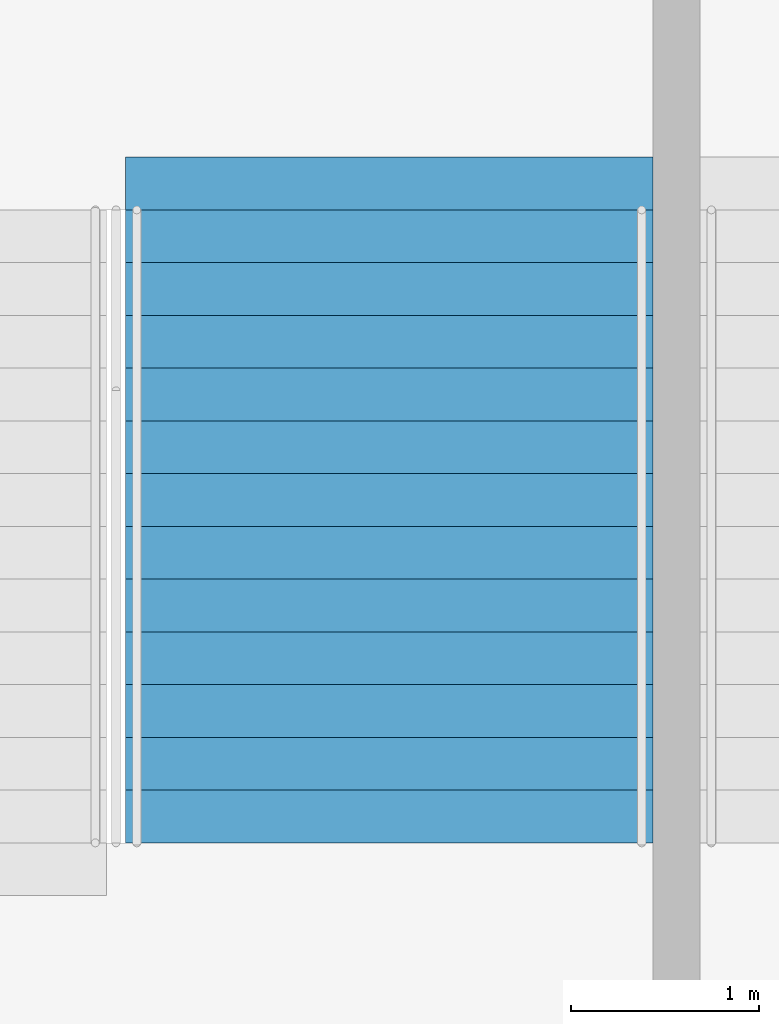
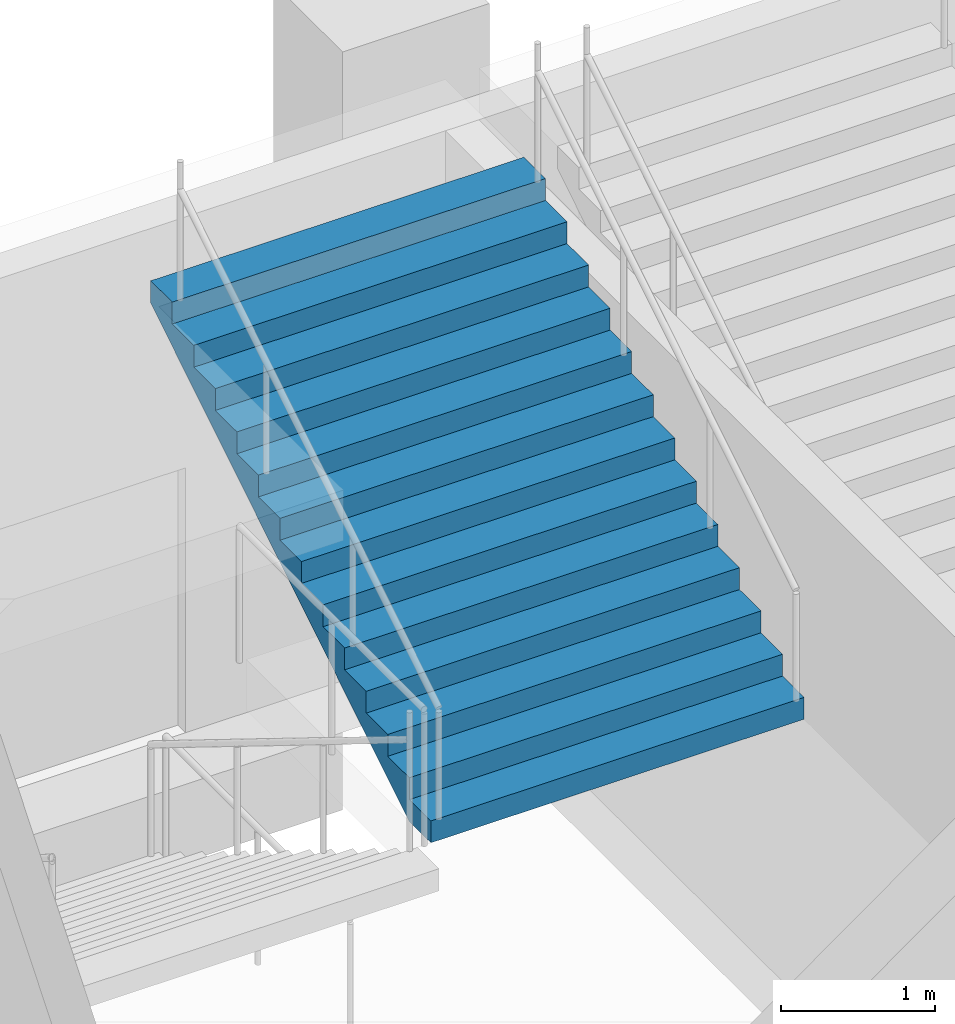
# One storey, part 90 of 177: 1 stair flight, 1 element without a shape of its own.
"""IFC4 building model written with IfcOpenShell, lengths in metres."""

from ifc_helpers import new_model, si_unit, direction, frame, origin, place, context, subcontext, project, spatial, faceted_brep, material, type_object, element, aggregate, save


model = new_model("IFC4")

# Units and contexts
model_context = context("Model", 3, precision=1e-05, world=origin(), true_north=direction((0.0, 1.0)))
body_context = subcontext(model_context, "Body", "Model", "MODEL_VIEW")
ifc_project = project(units=[si_unit("LENGTHUNIT", "METRE"), si_unit("AREAUNIT", "SQUARE_METRE"), si_unit("VOLUMEUNIT", "CUBIC_METRE"), si_unit("PLANEANGLEUNIT", "RADIAN"), si_unit("MASSUNIT", "GRAM", prefix="KILO")], contexts=[model_context])

# Site, building, storey
site_placement = place(None, origin())
site = spatial("IfcSite", under=ifc_project, at=site_placement, CompositionType="ELEMENT")
building_placement = place(site_placement, origin())
building = spatial("IfcBuilding", under=site, at=building_placement, Name="Ogive Plaza Stadium", CompositionType="ELEMENT")
storey_placement = place(building_placement, frame((0.0, 0.0, 18.0)))
storey = spatial("IfcBuildingStorey", under=building, at=storey_placement, Name="L04", CompositionType="ELEMENT", Elevation=18.0)

# Stair, stair flight
ifc_material_1 = material(Name="Concrete C40/50", Category="concrete")
stair_type = type_object("IfcStairType", Name="Exit stair", PredefinedType="STRAIGHT_RUN_STAIR", material=ifc_material_1)
stair_placement = place(storey_placement, origin())
stair = element("IfcStair", 1, at=stair_placement, inside=storey, type_object=stair_type, Name="Exit stair ST16A L04 to L05", PredefinedType="STRAIGHT_RUN_STAIR")
ifc_material_2 = material(Name="Concrete C40/50", Category="concrete")
stair_flight_type = type_object("IfcStairFlightType", Name="Exit stair flight", PredefinedType="STRAIGHT", material=ifc_material_2)
stair_flight_placement = place(storey_placement, frame((-21.925048828125, -98.2099609375, 2.25), z_axis=(0.0, 0.0, 1.0), x_axis=(0.0, 1.0, 0.0)))
stair_flight = element("IfcStairFlight", 2, at=stair_flight_placement, type_object=stair_flight_type, Name="ST16A flight 2", NumberOfRisers=13, NumberOfTreads=12, PredefinedType="STRAIGHT", RiserHeight=0.173076923, TreadLength=0.28, context=body_context, shape_type="Brep", body=[
    faceted_brep([(0.28515625, -1.39990234375, 0.0), (3.639892578125, -1.39990234375, 2.07373046875), (3.639892578125, -1.39990234375, 2.25), (3.360107421875, -1.39990234375, 2.25), (3.360107421875, -1.39990234375, 2.076904296875), (3.080078125, -1.39990234375, 2.076904296875), (3.080078125, -1.39990234375, 1.90380859375), (2.800048828125, -1.39990234375, 1.90380859375), (2.800048828125, -1.39990234375, 1.730712890625), (2.52001953125, -1.39990234375, 1.730712890625), (2.52001953125, -1.39990234375, 1.5576171875), (2.239990234375, -1.39990234375, 1.5576171875), (2.239990234375, -1.39990234375, 1.384521484375), (1.9599609375, -1.39990234375, 1.384521484375), (1.9599609375, -1.39990234375, 1.21142578125), (1.679931640625, -1.39990234375, 1.21142578125), (1.679931640625, -1.39990234375, 1.03857421875), (1.39990234375, -1.39990234375, 1.03857421875), (1.39990234375, -1.39990234375, 0.865478515625), (1.1201171875, -1.39990234375, 0.865478515625), (1.1201171875, -1.39990234375, 0.6923828125), (0.840087890625, -1.39990234375, 0.6923828125), (0.840087890625, -1.39990234375, 0.519287109375), (0.56005859375, -1.39990234375, 0.519287109375), (0.56005859375, -1.39990234375, 0.34619140625), (0.280029296875, -1.39990234375, 0.34619140625), (0.280029296875, -1.39990234375, 0.173095703125), (0.0, -1.39990234375, 0.173095703125), (0.0, -1.39990234375, 0.0), (0.0, 1.39990234375, 0.0), (0.0, 1.39990234375, 0.173095703125), (0.280029296875, 1.39990234375, 0.173095703125), (0.280029296875, 1.39990234375, 0.34619140625), (0.56005859375, 1.39990234375, 0.34619140625), (0.56005859375, 1.39990234375, 0.519287109375), (0.840087890625, 1.39990234375, 0.519287109375), (0.840087890625, 1.39990234375, 0.6923828125), (1.1201171875, 1.39990234375, 0.6923828125), (1.1201171875, 1.39990234375, 0.865478515625), (1.39990234375, 1.39990234375, 0.865478515625), (1.39990234375, 1.39990234375, 1.03857421875), (1.679931640625, 1.39990234375, 1.03857421875), (1.679931640625, 1.39990234375, 1.21142578125), (1.9599609375, 1.39990234375, 1.21142578125), (1.9599609375, 1.39990234375, 1.384521484375), (2.239990234375, 1.39990234375, 1.384521484375), (2.239990234375, 1.39990234375, 1.5576171875), (2.52001953125, 1.39990234375, 1.5576171875), (2.52001953125, 1.39990234375, 1.730712890625), (2.800048828125, 1.39990234375, 1.730712890625), (2.800048828125, 1.39990234375, 1.90380859375), (3.080078125, 1.39990234375, 1.90380859375), (3.080078125, 1.39990234375, 2.076904296875), (3.360107421875, 1.39990234375, 2.076904296875), (3.360107421875, 1.39990234375, 2.25), (3.639892578125, 1.39990234375, 2.25), (3.639892578125, 1.39990234375, 2.07373046875), (0.28515625, 1.39990234375, 0.0), (0.28515625, -1.0888671875, 0.0), (3.639892578125, -1.0888671875, 2.07373046875), (0.28515625, -0.77783203125, 0.0), (3.639892578125, -0.77783203125, 2.07373046875), (0.28515625, -0.466796875, 0.0), (3.639892578125, -0.466796875, 2.07373046875), (0.28515625, -0.155517578125, 0.0), (3.639892578125, -0.155517578125, 2.07373046875), (0.28515625, 0.155517578125, 0.0), (3.639892578125, 0.155517578125, 2.07373046875), (0.28515625, 0.466796875, 0.0), (3.639892578125, 0.466796875, 2.07373046875), (0.28515625, 0.77783203125, 0.0), (3.639892578125, 0.77783203125, 2.07373046875), (0.28515625, 1.0888671875, 0.0), (3.639892578125, 1.0888671875, 2.07373046875), (3.639892578125, -1.0888671875, 2.25), (3.639892578125, -0.77783203125, 2.25), (3.639892578125, -0.466796875, 2.25), (3.639892578125, -0.155517578125, 2.25), (3.639892578125, 0.155517578125, 2.25), (3.639892578125, 0.466796875, 2.25), (3.639892578125, 0.77783203125, 2.25), (3.639892578125, 1.0888671875, 2.25), (3.360107421875, -1.0888671875, 2.25), (3.360107421875, -0.77783203125, 2.25), (3.360107421875, -0.466796875, 2.25), (3.360107421875, -0.155517578125, 2.25), (3.360107421875, 0.155517578125, 2.25), (3.360107421875, 0.466796875, 2.25), (3.360107421875, 0.77783203125, 2.25), (3.360107421875, 1.0888671875, 2.25), (3.360107421875, -1.0888671875, 2.076904296875), (3.360107421875, -0.77783203125, 2.076904296875), (3.360107421875, -0.466796875, 2.076904296875), (3.360107421875, -0.155517578125, 2.076904296875), (3.360107421875, 0.155517578125, 2.076904296875), (3.360107421875, 0.466796875, 2.076904296875), (3.360107421875, 0.77783203125, 2.076904296875), (3.360107421875, 1.0888671875, 2.076904296875), (3.080078125, -1.0888671875, 2.076904296875), (3.080078125, -0.77783203125, 2.076904296875), (3.080078125, -0.466796875, 2.076904296875), (3.080078125, -0.155517578125, 2.076904296875), (3.080078125, 0.155517578125, 2.076904296875), (3.080078125, 0.466796875, 2.076904296875), (3.080078125, 0.77783203125, 2.076904296875), (3.080078125, 1.0888671875, 2.076904296875), (3.080078125, -1.0888671875, 1.90380859375), (3.080078125, -0.77783203125, 1.90380859375), (3.080078125, -0.466796875, 1.90380859375), (3.080078125, -0.155517578125, 1.90380859375), (3.080078125, 0.155517578125, 1.90380859375), (3.080078125, 0.466796875, 1.90380859375), (3.080078125, 0.77783203125, 1.90380859375), (3.080078125, 1.0888671875, 1.90380859375), (2.800048828125, -1.0888671875, 1.90380859375), (2.800048828125, -0.77783203125, 1.90380859375), (2.800048828125, -0.466796875, 1.90380859375), (2.800048828125, -0.155517578125, 1.90380859375), (2.800048828125, 0.155517578125, 1.90380859375), (2.800048828125, 0.466796875, 1.90380859375), (2.800048828125, 0.77783203125, 1.90380859375), (2.800048828125, 1.0888671875, 1.90380859375), (2.800048828125, -1.0888671875, 1.730712890625), (2.800048828125, -0.77783203125, 1.730712890625), (2.800048828125, -0.466796875, 1.730712890625), (2.800048828125, -0.155517578125, 1.730712890625), (2.800048828125, 0.155517578125, 1.730712890625), (2.800048828125, 0.466796875, 1.730712890625), (2.800048828125, 0.77783203125, 1.730712890625), (2.800048828125, 1.0888671875, 1.730712890625), (2.52001953125, -1.0888671875, 1.730712890625), (2.52001953125, -0.77783203125, 1.730712890625), (2.52001953125, -0.466796875, 1.730712890625), (2.52001953125, -0.155517578125, 1.730712890625), (2.52001953125, 0.155517578125, 1.730712890625), (2.52001953125, 0.466796875, 1.730712890625), (2.52001953125, 0.77783203125, 1.730712890625), (2.52001953125, 1.0888671875, 1.730712890625), (2.52001953125, -1.0888671875, 1.5576171875), (2.52001953125, -0.77783203125, 1.5576171875), (2.52001953125, -0.466796875, 1.5576171875), (2.52001953125, -0.155517578125, 1.5576171875), (2.52001953125, 0.155517578125, 1.5576171875), (2.52001953125, 0.466796875, 1.5576171875), (2.52001953125, 0.77783203125, 1.5576171875), (2.52001953125, 1.0888671875, 1.5576171875), (2.239990234375, -1.0888671875, 1.5576171875), (2.239990234375, -0.77783203125, 1.5576171875), (2.239990234375, -0.466796875, 1.5576171875), (2.239990234375, -0.155517578125, 1.5576171875), (2.239990234375, 0.155517578125, 1.5576171875), (2.239990234375, 0.466796875, 1.5576171875), (2.239990234375, 0.77783203125, 1.5576171875), (2.239990234375, 1.0888671875, 1.5576171875), (2.239990234375, -1.0888671875, 1.384521484375), (2.239990234375, -0.77783203125, 1.384521484375), (2.239990234375, -0.466796875, 1.384521484375), (2.239990234375, -0.155517578125, 1.384521484375), (2.239990234375, 0.155517578125, 1.384521484375), (2.239990234375, 0.466796875, 1.384521484375), (2.239990234375, 0.77783203125, 1.384521484375), (2.239990234375, 1.0888671875, 1.384521484375), (1.9599609375, -1.0888671875, 1.384521484375), (1.9599609375, -0.77783203125, 1.384521484375), (1.9599609375, -0.466796875, 1.384521484375), (1.9599609375, -0.155517578125, 1.384521484375), (1.9599609375, 0.155517578125, 1.384521484375), (1.9599609375, 0.466796875, 1.384521484375), (1.9599609375, 0.77783203125, 1.384521484375), (1.9599609375, 1.0888671875, 1.384521484375), (1.9599609375, -1.0888671875, 1.21142578125), (1.9599609375, -0.77783203125, 1.21142578125), (1.9599609375, -0.466796875, 1.21142578125), (1.9599609375, -0.155517578125, 1.21142578125), (1.9599609375, 0.155517578125, 1.21142578125), (1.9599609375, 0.466796875, 1.21142578125), (1.9599609375, 0.77783203125, 1.21142578125), (1.9599609375, 1.0888671875, 1.21142578125), (1.679931640625, -1.0888671875, 1.21142578125), (1.679931640625, -0.77783203125, 1.21142578125), (1.679931640625, -0.466796875, 1.21142578125), (1.679931640625, -0.155517578125, 1.21142578125), (1.679931640625, 0.155517578125, 1.21142578125), (1.679931640625, 0.466796875, 1.21142578125), (1.679931640625, 0.77783203125, 1.21142578125), (1.679931640625, 1.0888671875, 1.21142578125), (1.679931640625, -1.0888671875, 1.03857421875), (1.679931640625, -0.77783203125, 1.03857421875), (1.679931640625, -0.466796875, 1.03857421875), (1.679931640625, -0.155517578125, 1.03857421875), (1.679931640625, 0.155517578125, 1.03857421875), (1.679931640625, 0.466796875, 1.03857421875), (1.679931640625, 0.77783203125, 1.03857421875), (1.679931640625, 1.0888671875, 1.03857421875), (1.39990234375, -1.0888671875, 1.03857421875), (1.39990234375, -0.77783203125, 1.03857421875), (1.39990234375, -0.466796875, 1.03857421875), (1.39990234375, -0.155517578125, 1.03857421875), (1.39990234375, 0.155517578125, 1.03857421875), (1.39990234375, 0.466796875, 1.03857421875), (1.39990234375, 0.77783203125, 1.03857421875), (1.39990234375, 1.0888671875, 1.03857421875), (1.39990234375, -1.0888671875, 0.865478515625), (1.39990234375, -0.77783203125, 0.865478515625), (1.39990234375, -0.466796875, 0.865478515625), (1.39990234375, -0.155517578125, 0.865478515625), (1.39990234375, 0.155517578125, 0.865478515625), (1.39990234375, 0.466796875, 0.865478515625), (1.39990234375, 0.77783203125, 0.865478515625), (1.39990234375, 1.0888671875, 0.865478515625), (1.1201171875, -1.0888671875, 0.865478515625), (1.1201171875, -0.77783203125, 0.865478515625), (1.1201171875, -0.466796875, 0.865478515625), (1.1201171875, -0.155517578125, 0.865478515625), (1.1201171875, 0.155517578125, 0.865478515625), (1.1201171875, 0.466796875, 0.865478515625), (1.1201171875, 0.77783203125, 0.865478515625), (1.1201171875, 1.0888671875, 0.865478515625), (1.1201171875, -1.0888671875, 0.6923828125), (1.1201171875, -0.77783203125, 0.6923828125), (1.1201171875, -0.466796875, 0.6923828125), (1.1201171875, -0.155517578125, 0.6923828125), (1.1201171875, 0.155517578125, 0.6923828125), (1.1201171875, 0.466796875, 0.6923828125), (1.1201171875, 0.77783203125, 0.6923828125), (1.1201171875, 1.0888671875, 0.6923828125), (0.840087890625, -1.0888671875, 0.6923828125), (0.840087890625, -0.77783203125, 0.6923828125), (0.840087890625, -0.466796875, 0.6923828125), (0.840087890625, -0.155517578125, 0.6923828125), (0.840087890625, 0.155517578125, 0.6923828125), (0.840087890625, 0.466796875, 0.6923828125), (0.840087890625, 0.77783203125, 0.6923828125), (0.840087890625, 1.0888671875, 0.6923828125), (0.840087890625, -1.0888671875, 0.519287109375), (0.840087890625, -0.77783203125, 0.519287109375), (0.840087890625, -0.466796875, 0.519287109375), (0.840087890625, -0.155517578125, 0.519287109375), (0.840087890625, 0.155517578125, 0.519287109375), (0.840087890625, 0.466796875, 0.519287109375), (0.840087890625, 0.77783203125, 0.519287109375), (0.840087890625, 1.0888671875, 0.519287109375), (0.56005859375, -1.0888671875, 0.519287109375), (0.56005859375, -0.77783203125, 0.519287109375), (0.56005859375, -0.466796875, 0.519287109375), (0.56005859375, -0.155517578125, 0.519287109375), (0.56005859375, 0.155517578125, 0.519287109375), (0.56005859375, 0.466796875, 0.519287109375), (0.56005859375, 0.77783203125, 0.519287109375), (0.56005859375, 1.0888671875, 0.519287109375), (0.56005859375, -1.0888671875, 0.34619140625), (0.56005859375, -0.77783203125, 0.34619140625), (0.56005859375, -0.466796875, 0.34619140625), (0.56005859375, -0.155517578125, 0.34619140625), (0.56005859375, 0.155517578125, 0.34619140625), (0.56005859375, 0.466796875, 0.34619140625), (0.56005859375, 0.77783203125, 0.34619140625), (0.56005859375, 1.0888671875, 0.34619140625), (0.280029296875, -1.0888671875, 0.34619140625), (0.280029296875, -0.77783203125, 0.34619140625), (0.280029296875, -0.466796875, 0.34619140625), (0.280029296875, -0.155517578125, 0.34619140625), (0.280029296875, 0.155517578125, 0.34619140625), (0.280029296875, 0.466796875, 0.34619140625), (0.280029296875, 0.77783203125, 0.34619140625), (0.280029296875, 1.0888671875, 0.34619140625), (0.280029296875, -1.0888671875, 0.173095703125), (0.280029296875, -0.77783203125, 0.173095703125), (0.280029296875, -0.466796875, 0.173095703125), (0.280029296875, -0.155517578125, 0.173095703125), (0.280029296875, 0.155517578125, 0.173095703125), (0.280029296875, 0.466796875, 0.173095703125), (0.280029296875, 0.77783203125, 0.173095703125), (0.280029296875, 1.0888671875, 0.173095703125), (0.0, -1.0888671875, 0.173095703125), (0.0, -0.77783203125, 0.173095703125), (0.0, -0.466796875, 0.173095703125), (0.0, -0.155517578125, 0.173095703125), (0.0, 0.155517578125, 0.173095703125), (0.0, 0.466796875, 0.173095703125), (0.0, 0.77783203125, 0.173095703125), (0.0, 1.0888671875, 0.173095703125), (0.0, -1.0888671875, 0.0), (0.0, -0.77783203125, 0.0), (0.0, -0.466796875, 0.0), (0.0, -0.155517578125, 0.0), (0.0, 0.155517578125, 0.0), (0.0, 0.466796875, 0.0), (0.0, 0.77783203125, 0.0), (0.0, 1.0888671875, 0.0)], [[[0, 1, 2, 3, 4, 5, 6, 7, 8, 9, 10, 11, 12, 13, 14, 15, 16, 17, 18, 19, 20, 21, 22, 23, 24, 25, 26, 27, 28]], [[29, 30, 31, 32, 33, 34, 35, 36, 37, 38, 39, 40, 41, 42, 43, 44, 45, 46, 47, 48, 49, 50, 51, 52, 53, 54, 55, 56, 57]], [[0, 58, 59, 1]], [[58, 60, 61, 59]], [[60, 62, 63, 61]], [[62, 64, 65, 63]], [[64, 66, 67, 65]], [[66, 68, 69, 67]], [[68, 70, 71, 69]], [[70, 72, 73, 71]], [[72, 57, 56, 73]], [[1, 59, 74, 2]], [[59, 61, 75, 74]], [[61, 63, 76, 75]], [[63, 65, 77, 76]], [[65, 67, 78, 77]], [[67, 69, 79, 78]], [[69, 71, 80, 79]], [[71, 73, 81, 80]], [[73, 56, 55, 81]], [[2, 74, 82, 3]], [[74, 75, 83, 82]], [[75, 76, 84, 83]], [[76, 77, 85, 84]], [[77, 78, 86, 85]], [[78, 79, 87, 86]], [[79, 80, 88, 87]], [[80, 81, 89, 88]], [[81, 55, 54, 89]], [[3, 82, 90, 4]], [[82, 83, 91, 90]], [[83, 84, 92, 91]], [[84, 85, 93, 92]], [[85, 86, 94, 93]], [[86, 87, 95, 94]], [[87, 88, 96, 95]], [[88, 89, 97, 96]], [[89, 54, 53, 97]], [[4, 90, 98, 5]], [[90, 91, 99, 98]], [[91, 92, 100, 99]], [[92, 93, 101, 100]], [[93, 94, 102, 101]], [[94, 95, 103, 102]], [[95, 96, 104, 103]], [[96, 97, 105, 104]], [[97, 53, 52, 105]], [[5, 98, 106, 6]], [[98, 99, 107, 106]], [[99, 100, 108, 107]], [[100, 101, 109, 108]], [[101, 102, 110, 109]], [[102, 103, 111, 110]], [[103, 104, 112, 111]], [[104, 105, 113, 112]], [[105, 52, 51, 113]], [[6, 106, 114, 7]], [[106, 107, 115, 114]], [[107, 108, 116, 115]], [[108, 109, 117, 116]], [[109, 110, 118, 117]], [[110, 111, 119, 118]], [[111, 112, 120, 119]], [[112, 113, 121, 120]], [[113, 51, 50, 121]], [[7, 114, 122, 8]], [[114, 115, 123, 122]], [[115, 116, 124, 123]], [[116, 117, 125, 124]], [[117, 118, 126, 125]], [[118, 119, 127, 126]], [[119, 120, 128, 127]], [[120, 121, 129, 128]], [[121, 50, 49, 129]], [[8, 122, 130, 9]], [[122, 123, 131, 130]], [[123, 124, 132, 131]], [[124, 125, 133, 132]], [[125, 126, 134, 133]], [[126, 127, 135, 134]], [[127, 128, 136, 135]], [[128, 129, 137, 136]], [[129, 49, 48, 137]], [[9, 130, 138, 10]], [[130, 131, 139, 138]], [[131, 132, 140, 139]], [[132, 133, 141, 140]], [[133, 134, 142, 141]], [[134, 135, 143, 142]], [[135, 136, 144, 143]], [[136, 137, 145, 144]], [[137, 48, 47, 145]], [[10, 138, 146, 11]], [[138, 139, 147, 146]], [[139, 140, 148, 147]], [[140, 141, 149, 148]], [[141, 142, 150, 149]], [[142, 143, 151, 150]], [[143, 144, 152, 151]], [[144, 145, 153, 152]], [[145, 47, 46, 153]], [[11, 146, 154, 12]], [[146, 147, 155, 154]], [[147, 148, 156, 155]], [[148, 149, 157, 156]], [[149, 150, 158, 157]], [[150, 151, 159, 158]], [[151, 152, 160, 159]], [[152, 153, 161, 160]], [[153, 46, 45, 161]], [[12, 154, 162, 13]], [[154, 155, 163, 162]], [[155, 156, 164, 163]], [[156, 157, 165, 164]], [[157, 158, 166, 165]], [[158, 159, 167, 166]], [[159, 160, 168, 167]], [[160, 161, 169, 168]], [[161, 45, 44, 169]], [[13, 162, 170, 14]], [[162, 163, 171, 170]], [[163, 164, 172, 171]], [[164, 165, 173, 172]], [[165, 166, 174, 173]], [[166, 167, 175, 174]], [[167, 168, 176, 175]], [[168, 169, 177, 176]], [[169, 44, 43, 177]], [[14, 170, 178, 15]], [[170, 171, 179, 178]], [[171, 172, 180, 179]], [[172, 173, 181, 180]], [[173, 174, 182, 181]], [[174, 175, 183, 182]], [[175, 176, 184, 183]], [[176, 177, 185, 184]], [[177, 43, 42, 185]], [[15, 178, 186, 16]], [[178, 179, 187, 186]], [[179, 180, 188, 187]], [[180, 181, 189, 188]], [[181, 182, 190, 189]], [[182, 183, 191, 190]], [[183, 184, 192, 191]], [[184, 185, 193, 192]], [[185, 42, 41, 193]], [[16, 186, 194, 17]], [[186, 187, 195, 194]], [[187, 188, 196, 195]], [[188, 189, 197, 196]], [[189, 190, 198, 197]], [[190, 191, 199, 198]], [[191, 192, 200, 199]], [[192, 193, 201, 200]], [[193, 41, 40, 201]], [[17, 194, 202, 18]], [[194, 195, 203, 202]], [[195, 196, 204, 203]], [[196, 197, 205, 204]], [[197, 198, 206, 205]], [[198, 199, 207, 206]], [[199, 200, 208, 207]], [[200, 201, 209, 208]], [[201, 40, 39, 209]], [[18, 202, 210, 19]], [[202, 203, 211, 210]], [[203, 204, 212, 211]], [[204, 205, 213, 212]], [[205, 206, 214, 213]], [[206, 207, 215, 214]], [[207, 208, 216, 215]], [[208, 209, 217, 216]], [[209, 39, 38, 217]], [[19, 210, 218, 20]], [[210, 211, 219, 218]], [[211, 212, 220, 219]], [[212, 213, 221, 220]], [[213, 214, 222, 221]], [[214, 215, 223, 222]], [[215, 216, 224, 223]], [[216, 217, 225, 224]], [[217, 38, 37, 225]], [[20, 218, 226, 21]], [[218, 219, 227, 226]], [[219, 220, 228, 227]], [[220, 221, 229, 228]], [[221, 222, 230, 229]], [[222, 223, 231, 230]], [[223, 224, 232, 231]], [[224, 225, 233, 232]], [[225, 37, 36, 233]], [[21, 226, 234, 22]], [[226, 227, 235, 234]], [[227, 228, 236, 235]], [[228, 229, 237, 236]], [[229, 230, 238, 237]], [[230, 231, 239, 238]], [[231, 232, 240, 239]], [[232, 233, 241, 240]], [[233, 36, 35, 241]], [[22, 234, 242, 23]], [[234, 235, 243, 242]], [[235, 236, 244, 243]], [[236, 237, 245, 244]], [[237, 238, 246, 245]], [[238, 239, 247, 246]], [[239, 240, 248, 247]], [[240, 241, 249, 248]], [[241, 35, 34, 249]], [[23, 242, 250, 24]], [[242, 243, 251, 250]], [[243, 244, 252, 251]], [[244, 245, 253, 252]], [[245, 246, 254, 253]], [[246, 247, 255, 254]], [[247, 248, 256, 255]], [[248, 249, 257, 256]], [[249, 34, 33, 257]], [[24, 250, 258, 25]], [[250, 251, 259, 258]], [[251, 252, 260, 259]], [[252, 253, 261, 260]], [[253, 254, 262, 261]], [[254, 255, 263, 262]], [[255, 256, 264, 263]], [[256, 257, 265, 264]], [[257, 33, 32, 265]], [[25, 258, 266, 26]], [[258, 259, 267, 266]], [[259, 260, 268, 267]], [[260, 261, 269, 268]], [[261, 262, 270, 269]], [[262, 263, 271, 270]], [[263, 264, 272, 271]], [[264, 265, 273, 272]], [[265, 32, 31, 273]], [[26, 266, 274, 27]], [[266, 267, 275, 274]], [[267, 268, 276, 275]], [[268, 269, 277, 276]], [[269, 270, 278, 277]], [[270, 271, 279, 278]], [[271, 272, 280, 279]], [[272, 273, 281, 280]], [[273, 31, 30, 281]], [[27, 274, 282, 28]], [[274, 275, 283, 282]], [[275, 276, 284, 283]], [[276, 277, 285, 284]], [[277, 278, 286, 285]], [[278, 279, 287, 286]], [[279, 280, 288, 287]], [[280, 281, 289, 288]], [[281, 30, 29, 289]], [[28, 282, 58, 0]], [[282, 283, 60, 58]], [[283, 284, 62, 60]], [[284, 285, 64, 62]], [[285, 286, 66, 64]], [[286, 287, 68, 66]], [[287, 288, 70, 68]], [[288, 289, 72, 70]], [[289, 29, 57, 72]]]),
])
aggregate(stair, [stair_flight])

save(model, "model.ifc")
